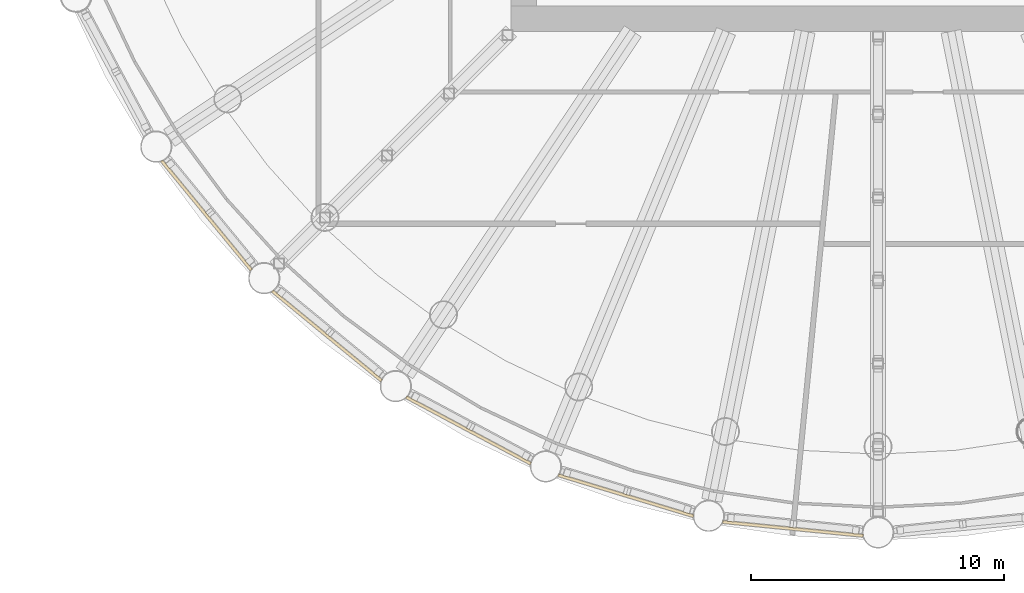
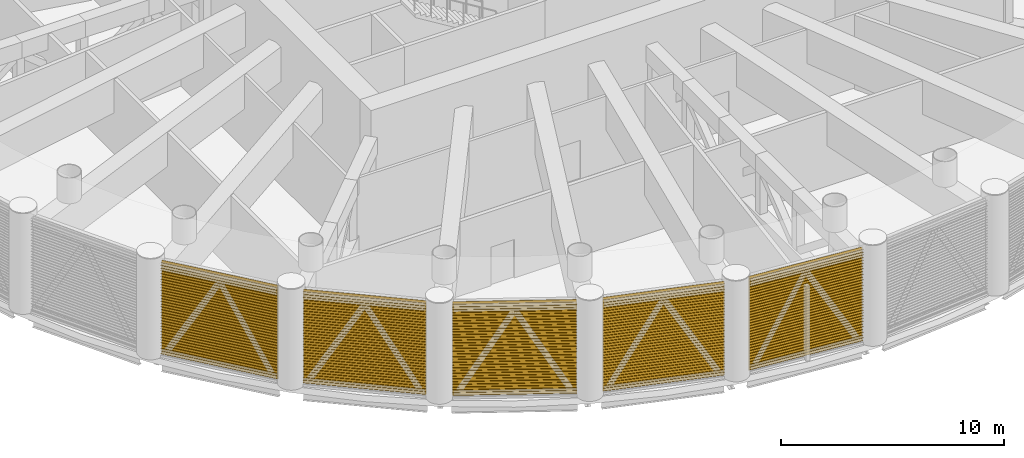
# One storey, part 22 of 29: 5 shading devices, 5 elements without a shape of their own.
"""IFC4 building model written with IfcOpenShell, lengths in metres."""

from ifc_helpers import new_model, si_unit, direction, frame, origin, place, context, subcontext, project, spatial, polyline, outline, extrude, material, material_profile, profile_set, type_object, element, aggregate, save


model = new_model("IFC4")

# Units and contexts
model_context = context("Model", 3, precision=1e-05, world=origin(), true_north=direction((0.0, 1.0)))
body_context = subcontext(model_context, "Body", "Model", "MODEL_VIEW")
ifc_project = project(units=[si_unit("LENGTHUNIT", "METRE"), si_unit("AREAUNIT", "SQUARE_METRE"), si_unit("VOLUMEUNIT", "CUBIC_METRE"), si_unit("PLANEANGLEUNIT", "RADIAN"), si_unit("MASSUNIT", "GRAM", prefix="KILO")], contexts=[model_context])

# Site, building, storey
site_placement = place(None, origin())
site = spatial("IfcSite", under=ifc_project, at=site_placement, CompositionType="ELEMENT")
building_placement = place(site_placement, origin())
building = spatial("IfcBuilding", under=site, at=building_placement, Name="Corvane Civic Tower", CompositionType="ELEMENT")
storey_placement = place(building_placement, frame((0.0, 0.0, 138.5)))
storey = spatial("IfcBuildingStorey", under=building, at=storey_placement, Name="L32", CompositionType="ELEMENT", Elevation=138.5)

# Curtain wall, shading device
ifc_material_1 = material(Name="Anodised aluminium bronze", Category="aluminium")
curtain_wall_type = type_object("IfcCurtainWallType", Name="TOWER CW-LV LOUVRE SCREEN WALL", PredefinedType="NOTDEFINED", material=ifc_material_1)
curtain_wall_1_placement = place(storey_placement, origin())
curtain_wall_1 = element("IfcCurtainWall", 1, at=curtain_wall_1_placement, inside=storey, type_object=curtain_wall_type, Name="Louvre screen wall CW-LV L32 bay 17", PredefinedType="NOTDEFINED")
ifc_material_2 = material(Name="Anodised aluminium bronze", Category="aluminium")
ifc_material_profile = material_profile(ifc_material_2, outline(polyline([(-0.06005859375, -2.56494140625), (-0.0400390625, -2.56494140625), (0.06005859375, -2.492919921875), (0.06005859375, -2.472900390625), (-0.0400390625, -2.544921875), (-0.0400390625, -2.4140625), (0.06005859375, -2.342041015625), (0.06005859375, -2.322021484375), (-0.0400390625, -2.39404296875), (-0.0400390625, -2.26318359375), (0.06005859375, -2.191162109375), (0.06005859375, -2.171142578125), (-0.0400390625, -2.2431640625), (-0.0400390625, -2.1123046875), (0.06005859375, -2.040283203125), (0.06005859375, -2.0205078125), (-0.0400390625, -2.09228515625), (-0.0400390625, -1.96142578125), (0.06005859375, -1.889404296875), (0.06005859375, -1.869384765625), (-0.0400390625, -1.94140625), (-0.0400390625, -1.810546875), (0.06005859375, -1.738525390625), (0.06005859375, -1.718505859375), (-0.0400390625, -1.79052734375), (-0.0400390625, -1.65966796875), (0.06005859375, -1.587646484375), (0.06005859375, -1.567626953125), (-0.0400390625, -1.6396484375), (-0.0400390625, -1.5087890625), (0.06005859375, -1.436767578125), (0.06005859375, -1.416748046875), (-0.0400390625, -1.48876953125), (-0.0400390625, -1.35791015625), (0.06005859375, -1.285888671875), (0.06005859375, -1.265869140625), (-0.0400390625, -1.337890625), (-0.0400390625, -1.20703125), (0.06005859375, -1.135009765625), (0.06005859375, -1.114990234375), (-0.0400390625, -1.18701171875), (-0.0400390625, -1.05615234375), (0.06005859375, -0.984130859375), (0.06005859375, -0.964111328125), (-0.0400390625, -1.0361328125), (-0.0400390625, -0.9052734375), (0.06005859375, -0.833251953125), (0.06005859375, -0.813232421875), (-0.0400390625, -0.88525390625), (-0.0400390625, -0.75439453125), (0.06005859375, -0.682373046875), (0.06005859375, -0.662353515625), (-0.0400390625, -0.734375), (-0.0400390625, -0.603515625), (0.06005859375, -0.531494140625), (0.06005859375, -0.511474609375), (-0.0400390625, -0.58349609375), (-0.0400390625, -0.45263671875), (0.06005859375, -0.380615234375), (0.06005859375, -0.360595703125), (-0.0400390625, -0.4326171875), (-0.0400390625, -0.3017578125), (0.06005859375, -0.229736328125), (0.06005859375, -0.209716796875), (-0.0400390625, -0.28173828125), (-0.0400390625, -0.15087890625), (0.06005859375, -0.078857421875), (0.06005859375, -0.058837890625), (-0.0400390625, -0.130859375), (-0.0400390625, 0.0), (0.06005859375, 0.072021484375), (0.06005859375, 0.092041015625), (-0.0400390625, 0.02001953125), (-0.0400390625, 0.15087890625), (0.06005859375, 0.222900390625), (0.06005859375, 0.242919921875), (-0.0400390625, 0.1708984375), (-0.0400390625, 0.3017578125), (0.06005859375, 0.373779296875), (0.06005859375, 0.393798828125), (-0.0400390625, 0.32177734375), (-0.0400390625, 0.45263671875), (0.06005859375, 0.524658203125), (0.06005859375, 0.544677734375), (-0.0400390625, 0.47265625), (-0.0400390625, 0.603515625), (0.06005859375, 0.675537109375), (0.06005859375, 0.695556640625), (-0.0400390625, 0.62353515625), (-0.0400390625, 0.75439453125), (0.06005859375, 0.826416015625), (0.06005859375, 0.846435546875), (-0.0400390625, 0.7744140625), (-0.0400390625, 0.9052734375), (0.06005859375, 0.977294921875), (0.06005859375, 0.997314453125), (-0.0400390625, 0.92529296875), (-0.0400390625, 1.05615234375), (0.06005859375, 1.128173828125), (0.06005859375, 1.148193359375), (-0.0400390625, 1.076171875), (-0.0400390625, 1.20703125), (0.06005859375, 1.279052734375), (0.06005859375, 1.299072265625), (-0.0400390625, 1.22705078125), (-0.0400390625, 1.35791015625), (0.06005859375, 1.429931640625), (0.06005859375, 1.449951171875), (-0.0400390625, 1.3779296875), (-0.0400390625, 1.5087890625), (0.06005859375, 1.580810546875), (0.06005859375, 1.600830078125), (-0.0400390625, 1.52880859375), (-0.0400390625, 1.65966796875), (0.06005859375, 1.731689453125), (0.06005859375, 1.751708984375), (-0.0400390625, 1.6796875), (-0.0400390625, 1.810546875), (0.06005859375, 1.882568359375), (0.06005859375, 1.902587890625), (-0.0400390625, 1.83056640625), (-0.0400390625, 1.96142578125), (0.06005859375, 2.033447265625), (0.06005859375, 2.053466796875), (-0.0400390625, 1.9814453125), (-0.0400390625, 2.1123046875), (0.06005859375, 2.184326171875), (0.06005859375, 2.204345703125), (-0.0400390625, 2.13232421875), (-0.0400390625, 2.26318359375), (0.06005859375, 2.335205078125), (0.06005859375, 2.355224609375), (-0.0400390625, 2.283203125), (-0.0400390625, 2.4140625), (0.06005859375, 2.486083984375), (0.06005859375, 2.506103515625), (-0.0400390625, 2.43408203125), (-0.0400390625, 2.56494140625), (-0.06005859375, 2.56494140625), (-0.06005859375, -2.56494140625)])), Name="TOWER LOUVRE BANK 5130 BRONZE")
ifc_profile_set = profile_set([ifc_material_profile], Name="Anodised aluminium bronze")
shading_device_type = type_object("IfcShadingDeviceType", Name="TOWER LOUVRE BANK 5130 BRONZE", PredefinedType="USERDEFINED", material=ifc_profile_set)
shading_device_1_placement = place(storey_placement, frame((-0.58349609375, -34.422607421875, 2.68505859375), z_axis=(-0.995179807033, 0.098067077419, 0.0), x_axis=(-0.098067077419, -0.995179807033, 0.0)))
shading_device_1 = element("IfcShadingDevice", 2, at=shading_device_1_placement, type_object=shading_device_type, Name="Louvre bank L32 17.1", ObjectType="LOUVRE", PredefinedType="USERDEFINED", context=body_context, shape_type="SweptSolid", body=[
    extrude(outline(polyline([(-0.06005859375, -2.56494140625), (-0.0400390625, -2.56494140625), (0.06005859375, -2.492919921875), (0.06005859375, -2.472900390625), (-0.0400390625, -2.544921875), (-0.0400390625, -2.4140625), (0.06005859375, -2.342041015625), (0.06005859375, -2.322021484375), (-0.0400390625, -2.39404296875), (-0.0400390625, -2.26318359375), (0.06005859375, -2.191162109375), (0.06005859375, -2.171142578125), (-0.0400390625, -2.2431640625), (-0.0400390625, -2.1123046875), (0.06005859375, -2.040283203125), (0.06005859375, -2.0205078125), (-0.0400390625, -2.09228515625), (-0.0400390625, -1.96142578125), (0.06005859375, -1.889404296875), (0.06005859375, -1.869384765625), (-0.0400390625, -1.94140625), (-0.0400390625, -1.810546875), (0.06005859375, -1.738525390625), (0.06005859375, -1.718505859375), (-0.0400390625, -1.79052734375), (-0.0400390625, -1.65966796875), (0.06005859375, -1.587646484375), (0.06005859375, -1.567626953125), (-0.0400390625, -1.6396484375), (-0.0400390625, -1.5087890625), (0.06005859375, -1.436767578125), (0.06005859375, -1.416748046875), (-0.0400390625, -1.48876953125), (-0.0400390625, -1.35791015625), (0.06005859375, -1.285888671875), (0.06005859375, -1.265869140625), (-0.0400390625, -1.337890625), (-0.0400390625, -1.20703125), (0.06005859375, -1.135009765625), (0.06005859375, -1.114990234375), (-0.0400390625, -1.18701171875), (-0.0400390625, -1.05615234375), (0.06005859375, -0.984130859375), (0.06005859375, -0.964111328125), (-0.0400390625, -1.0361328125), (-0.0400390625, -0.9052734375), (0.06005859375, -0.833251953125), (0.06005859375, -0.813232421875), (-0.0400390625, -0.88525390625), (-0.0400390625, -0.75439453125), (0.06005859375, -0.682373046875), (0.06005859375, -0.662353515625), (-0.0400390625, -0.734375), (-0.0400390625, -0.603515625), (0.06005859375, -0.531494140625), (0.06005859375, -0.511474609375), (-0.0400390625, -0.58349609375), (-0.0400390625, -0.45263671875), (0.06005859375, -0.380615234375), (0.06005859375, -0.360595703125), (-0.0400390625, -0.4326171875), (-0.0400390625, -0.3017578125), (0.06005859375, -0.229736328125), (0.06005859375, -0.209716796875), (-0.0400390625, -0.28173828125), (-0.0400390625, -0.15087890625), (0.06005859375, -0.078857421875), (0.06005859375, -0.058837890625), (-0.0400390625, -0.130859375), (-0.0400390625, 0.0), (0.06005859375, 0.072021484375), (0.06005859375, 0.092041015625), (-0.0400390625, 0.02001953125), (-0.0400390625, 0.15087890625), (0.06005859375, 0.222900390625), (0.06005859375, 0.242919921875), (-0.0400390625, 0.1708984375), (-0.0400390625, 0.3017578125), (0.06005859375, 0.373779296875), (0.06005859375, 0.393798828125), (-0.0400390625, 0.32177734375), (-0.0400390625, 0.45263671875), (0.06005859375, 0.524658203125), (0.06005859375, 0.544677734375), (-0.0400390625, 0.47265625), (-0.0400390625, 0.603515625), (0.06005859375, 0.675537109375), (0.06005859375, 0.695556640625), (-0.0400390625, 0.62353515625), (-0.0400390625, 0.75439453125), (0.06005859375, 0.826416015625), (0.06005859375, 0.846435546875), (-0.0400390625, 0.7744140625), (-0.0400390625, 0.9052734375), (0.06005859375, 0.977294921875), (0.06005859375, 0.997314453125), (-0.0400390625, 0.92529296875), (-0.0400390625, 1.05615234375), (0.06005859375, 1.128173828125), (0.06005859375, 1.148193359375), (-0.0400390625, 1.076171875), (-0.0400390625, 1.20703125), (0.06005859375, 1.279052734375), (0.06005859375, 1.299072265625), (-0.0400390625, 1.22705078125), (-0.0400390625, 1.35791015625), (0.06005859375, 1.429931640625), (0.06005859375, 1.449951171875), (-0.0400390625, 1.3779296875), (-0.0400390625, 1.5087890625), (0.06005859375, 1.580810546875), (0.06005859375, 1.600830078125), (-0.0400390625, 1.52880859375), (-0.0400390625, 1.65966796875), (0.06005859375, 1.731689453125), (0.06005859375, 1.751708984375), (-0.0400390625, 1.6796875), (-0.0400390625, 1.810546875), (0.06005859375, 1.882568359375), (0.06005859375, 1.902587890625), (-0.0400390625, 1.83056640625), (-0.0400390625, 1.96142578125), (0.06005859375, 2.033447265625), (0.06005859375, 2.053466796875), (-0.0400390625, 1.9814453125), (-0.0400390625, 2.1123046875), (0.06005859375, 2.184326171875), (0.06005859375, 2.204345703125), (-0.0400390625, 2.13232421875), (-0.0400390625, 2.26318359375), (0.06005859375, 2.335205078125), (0.06005859375, 2.355224609375), (-0.0400390625, 2.283203125), (-0.0400390625, 2.4140625), (0.06005859375, 2.486083984375), (0.06005859375, 2.506103515625), (-0.0400390625, 2.43408203125), (-0.0400390625, 2.56494140625), (-0.06005859375, 2.56494140625), (-0.06005859375, -2.56494140625)])), origin(), (0.0, 0.0, 1.0), 5.58642578125),
])
aggregate(curtain_wall_1, [shading_device_1])

curtain_wall_2_placement = place(storey_placement, origin())
curtain_wall_2 = element("IfcCurtainWall", 3, at=curtain_wall_2_placement, inside=storey, type_object=curtain_wall_type, Name="Louvre screen wall CW-LV L32 bay 18", PredefinedType="NOTDEFINED")
shading_device_2_placement = place(storey_placement, frame((-7.287841796875, -33.647216796875, 2.68505859375), z_axis=(-0.956944977029, 0.290269376509, 0.0), x_axis=(-0.290269376509, -0.956944977029, 0.0)))
shading_device_2 = element("IfcShadingDevice", 4, at=shading_device_2_placement, type_object=shading_device_type, Name="Louvre bank L32 18.1", ObjectType="LOUVRE", PredefinedType="USERDEFINED", context=body_context, shape_type="SweptSolid", body=[
    extrude(outline(polyline([(-0.06005859375, -2.56494140625), (-0.0400390625, -2.56494140625), (0.06005859375, -2.492919921875), (0.06005859375, -2.472900390625), (-0.0400390625, -2.544921875), (-0.0400390625, -2.4140625), (0.06005859375, -2.342041015625), (0.06005859375, -2.322021484375), (-0.0400390625, -2.39404296875), (-0.0400390625, -2.26318359375), (0.06005859375, -2.191162109375), (0.06005859375, -2.171142578125), (-0.0400390625, -2.2431640625), (-0.0400390625, -2.1123046875), (0.06005859375, -2.040283203125), (0.06005859375, -2.0205078125), (-0.0400390625, -2.09228515625), (-0.0400390625, -1.96142578125), (0.06005859375, -1.889404296875), (0.06005859375, -1.869384765625), (-0.0400390625, -1.94140625), (-0.0400390625, -1.810546875), (0.06005859375, -1.738525390625), (0.06005859375, -1.718505859375), (-0.0400390625, -1.79052734375), (-0.0400390625, -1.65966796875), (0.06005859375, -1.587646484375), (0.06005859375, -1.567626953125), (-0.0400390625, -1.6396484375), (-0.0400390625, -1.5087890625), (0.06005859375, -1.436767578125), (0.06005859375, -1.416748046875), (-0.0400390625, -1.48876953125), (-0.0400390625, -1.35791015625), (0.06005859375, -1.285888671875), (0.06005859375, -1.265869140625), (-0.0400390625, -1.337890625), (-0.0400390625, -1.20703125), (0.06005859375, -1.135009765625), (0.06005859375, -1.114990234375), (-0.0400390625, -1.18701171875), (-0.0400390625, -1.05615234375), (0.06005859375, -0.984130859375), (0.06005859375, -0.964111328125), (-0.0400390625, -1.0361328125), (-0.0400390625, -0.9052734375), (0.06005859375, -0.833251953125), (0.06005859375, -0.813232421875), (-0.0400390625, -0.88525390625), (-0.0400390625, -0.75439453125), (0.06005859375, -0.682373046875), (0.06005859375, -0.662353515625), (-0.0400390625, -0.734375), (-0.0400390625, -0.603515625), (0.06005859375, -0.531494140625), (0.06005859375, -0.511474609375), (-0.0400390625, -0.58349609375), (-0.0400390625, -0.45263671875), (0.06005859375, -0.380615234375), (0.06005859375, -0.360595703125), (-0.0400390625, -0.4326171875), (-0.0400390625, -0.3017578125), (0.06005859375, -0.229736328125), (0.06005859375, -0.209716796875), (-0.0400390625, -0.28173828125), (-0.0400390625, -0.15087890625), (0.06005859375, -0.078857421875), (0.06005859375, -0.058837890625), (-0.0400390625, -0.130859375), (-0.0400390625, 0.0), (0.06005859375, 0.072021484375), (0.06005859375, 0.092041015625), (-0.0400390625, 0.02001953125), (-0.0400390625, 0.15087890625), (0.06005859375, 0.222900390625), (0.06005859375, 0.242919921875), (-0.0400390625, 0.1708984375), (-0.0400390625, 0.3017578125), (0.06005859375, 0.373779296875), (0.06005859375, 0.393798828125), (-0.0400390625, 0.32177734375), (-0.0400390625, 0.45263671875), (0.06005859375, 0.524658203125), (0.06005859375, 0.544677734375), (-0.0400390625, 0.47265625), (-0.0400390625, 0.603515625), (0.06005859375, 0.675537109375), (0.06005859375, 0.695556640625), (-0.0400390625, 0.62353515625), (-0.0400390625, 0.75439453125), (0.06005859375, 0.826416015625), (0.06005859375, 0.846435546875), (-0.0400390625, 0.7744140625), (-0.0400390625, 0.9052734375), (0.06005859375, 0.977294921875), (0.06005859375, 0.997314453125), (-0.0400390625, 0.92529296875), (-0.0400390625, 1.05615234375), (0.06005859375, 1.128173828125), (0.06005859375, 1.148193359375), (-0.0400390625, 1.076171875), (-0.0400390625, 1.20703125), (0.06005859375, 1.279052734375), (0.06005859375, 1.299072265625), (-0.0400390625, 1.22705078125), (-0.0400390625, 1.35791015625), (0.06005859375, 1.429931640625), (0.06005859375, 1.449951171875), (-0.0400390625, 1.3779296875), (-0.0400390625, 1.5087890625), (0.06005859375, 1.580810546875), (0.06005859375, 1.600830078125), (-0.0400390625, 1.52880859375), (-0.0400390625, 1.65966796875), (0.06005859375, 1.731689453125), (0.06005859375, 1.751708984375), (-0.0400390625, 1.6796875), (-0.0400390625, 1.810546875), (0.06005859375, 1.882568359375), (0.06005859375, 1.902587890625), (-0.0400390625, 1.83056640625), (-0.0400390625, 1.96142578125), (0.06005859375, 2.033447265625), (0.06005859375, 2.053466796875), (-0.0400390625, 1.9814453125), (-0.0400390625, 2.1123046875), (0.06005859375, 2.184326171875), (0.06005859375, 2.204345703125), (-0.0400390625, 2.13232421875), (-0.0400390625, 2.26318359375), (0.06005859375, 2.335205078125), (0.06005859375, 2.355224609375), (-0.0400390625, 2.283203125), (-0.0400390625, 2.4140625), (0.06005859375, 2.486083984375), (0.06005859375, 2.506103515625), (-0.0400390625, 2.43408203125), (-0.0400390625, 2.56494140625), (-0.06005859375, 2.56494140625), (-0.06005859375, -2.56494140625)])), origin(), (0.0, 0.0, 1.0), 5.58642578125),
])
aggregate(curtain_wall_2, [shading_device_2])

curtain_wall_3_placement = place(storey_placement, origin())
curtain_wall_3 = element("IfcCurtainWall", 5, at=curtain_wall_3_placement, inside=storey, type_object=curtain_wall_type, Name="Louvre screen wall CW-LV L32 bay 19", PredefinedType="NOTDEFINED")
shading_device_3_placement = place(storey_placement, frame((-13.712158203125, -31.5791015625, 2.68505859375), z_axis=(-0.881920705407, 0.47139778253, 0.0), x_axis=(-0.47139778253, -0.881920705407, 0.0)))
shading_device_3 = element("IfcShadingDevice", 6, at=shading_device_3_placement, type_object=shading_device_type, Name="Louvre bank L32 19.1", ObjectType="LOUVRE", PredefinedType="USERDEFINED", context=body_context, shape_type="SweptSolid", body=[
    extrude(outline(polyline([(-0.06005859375, -2.56494140625), (-0.0400390625, -2.56494140625), (0.06005859375, -2.492919921875), (0.06005859375, -2.472900390625), (-0.0400390625, -2.544921875), (-0.0400390625, -2.4140625), (0.06005859375, -2.342041015625), (0.06005859375, -2.322021484375), (-0.0400390625, -2.39404296875), (-0.0400390625, -2.26318359375), (0.06005859375, -2.191162109375), (0.06005859375, -2.171142578125), (-0.0400390625, -2.2431640625), (-0.0400390625, -2.1123046875), (0.06005859375, -2.040283203125), (0.06005859375, -2.0205078125), (-0.0400390625, -2.09228515625), (-0.0400390625, -1.96142578125), (0.06005859375, -1.889404296875), (0.06005859375, -1.869384765625), (-0.0400390625, -1.94140625), (-0.0400390625, -1.810546875), (0.06005859375, -1.738525390625), (0.06005859375, -1.718505859375), (-0.0400390625, -1.79052734375), (-0.0400390625, -1.65966796875), (0.06005859375, -1.587646484375), (0.06005859375, -1.567626953125), (-0.0400390625, -1.6396484375), (-0.0400390625, -1.5087890625), (0.06005859375, -1.436767578125), (0.06005859375, -1.416748046875), (-0.0400390625, -1.48876953125), (-0.0400390625, -1.35791015625), (0.06005859375, -1.285888671875), (0.06005859375, -1.265869140625), (-0.0400390625, -1.337890625), (-0.0400390625, -1.20703125), (0.06005859375, -1.135009765625), (0.06005859375, -1.114990234375), (-0.0400390625, -1.18701171875), (-0.0400390625, -1.05615234375), (0.06005859375, -0.984130859375), (0.06005859375, -0.964111328125), (-0.0400390625, -1.0361328125), (-0.0400390625, -0.9052734375), (0.06005859375, -0.833251953125), (0.06005859375, -0.813232421875), (-0.0400390625, -0.88525390625), (-0.0400390625, -0.75439453125), (0.06005859375, -0.682373046875), (0.06005859375, -0.662353515625), (-0.0400390625, -0.734375), (-0.0400390625, -0.603515625), (0.06005859375, -0.531494140625), (0.06005859375, -0.511474609375), (-0.0400390625, -0.58349609375), (-0.0400390625, -0.45263671875), (0.06005859375, -0.380615234375), (0.06005859375, -0.360595703125), (-0.0400390625, -0.4326171875), (-0.0400390625, -0.3017578125), (0.06005859375, -0.229736328125), (0.06005859375, -0.209716796875), (-0.0400390625, -0.28173828125), (-0.0400390625, -0.15087890625), (0.06005859375, -0.078857421875), (0.06005859375, -0.058837890625), (-0.0400390625, -0.130859375), (-0.0400390625, 0.0), (0.06005859375, 0.072021484375), (0.06005859375, 0.092041015625), (-0.0400390625, 0.02001953125), (-0.0400390625, 0.15087890625), (0.06005859375, 0.222900390625), (0.06005859375, 0.242919921875), (-0.0400390625, 0.1708984375), (-0.0400390625, 0.3017578125), (0.06005859375, 0.373779296875), (0.06005859375, 0.393798828125), (-0.0400390625, 0.32177734375), (-0.0400390625, 0.45263671875), (0.06005859375, 0.524658203125), (0.06005859375, 0.544677734375), (-0.0400390625, 0.47265625), (-0.0400390625, 0.603515625), (0.06005859375, 0.675537109375), (0.06005859375, 0.695556640625), (-0.0400390625, 0.62353515625), (-0.0400390625, 0.75439453125), (0.06005859375, 0.826416015625), (0.06005859375, 0.846435546875), (-0.0400390625, 0.7744140625), (-0.0400390625, 0.9052734375), (0.06005859375, 0.977294921875), (0.06005859375, 0.997314453125), (-0.0400390625, 0.92529296875), (-0.0400390625, 1.05615234375), (0.06005859375, 1.128173828125), (0.06005859375, 1.148193359375), (-0.0400390625, 1.076171875), (-0.0400390625, 1.20703125), (0.06005859375, 1.279052734375), (0.06005859375, 1.299072265625), (-0.0400390625, 1.22705078125), (-0.0400390625, 1.35791015625), (0.06005859375, 1.429931640625), (0.06005859375, 1.449951171875), (-0.0400390625, 1.3779296875), (-0.0400390625, 1.5087890625), (0.06005859375, 1.580810546875), (0.06005859375, 1.600830078125), (-0.0400390625, 1.52880859375), (-0.0400390625, 1.65966796875), (0.06005859375, 1.731689453125), (0.06005859375, 1.751708984375), (-0.0400390625, 1.6796875), (-0.0400390625, 1.810546875), (0.06005859375, 1.882568359375), (0.06005859375, 1.902587890625), (-0.0400390625, 1.83056640625), (-0.0400390625, 1.96142578125), (0.06005859375, 2.033447265625), (0.06005859375, 2.053466796875), (-0.0400390625, 1.9814453125), (-0.0400390625, 2.1123046875), (0.06005859375, 2.184326171875), (0.06005859375, 2.204345703125), (-0.0400390625, 2.13232421875), (-0.0400390625, 2.26318359375), (0.06005859375, 2.335205078125), (0.06005859375, 2.355224609375), (-0.0400390625, 2.283203125), (-0.0400390625, 2.4140625), (0.06005859375, 2.486083984375), (0.06005859375, 2.506103515625), (-0.0400390625, 2.43408203125), (-0.0400390625, 2.56494140625), (-0.06005859375, 2.56494140625), (-0.06005859375, -2.56494140625)])), origin(), (0.0, 0.0, 1.0), 5.586669921875),
])
aggregate(curtain_wall_3, [shading_device_3])

curtain_wall_4_placement = place(storey_placement, origin())
curtain_wall_4 = element("IfcCurtainWall", 7, at=curtain_wall_4_placement, inside=storey, type_object=curtain_wall_type, Name="Louvre screen wall CW-LV L32 bay 20", PredefinedType="NOTDEFINED")
shading_device_4_placement = place(storey_placement, frame((-19.609619140625, -28.297119140625, 2.68505859375), z_axis=(-0.772996431642, 0.634410369295, 0.0), x_axis=(-0.634410369295, -0.772996431642, 0.0)))
shading_device_4 = element("IfcShadingDevice", 8, at=shading_device_4_placement, type_object=shading_device_type, Name="Louvre bank L32 20.1", ObjectType="LOUVRE", PredefinedType="USERDEFINED", context=body_context, shape_type="SweptSolid", body=[
    extrude(outline(polyline([(-0.06005859375, -2.56494140625), (-0.0400390625, -2.56494140625), (0.06005859375, -2.492919921875), (0.06005859375, -2.472900390625), (-0.0400390625, -2.544921875), (-0.0400390625, -2.4140625), (0.06005859375, -2.342041015625), (0.06005859375, -2.322021484375), (-0.0400390625, -2.39404296875), (-0.0400390625, -2.26318359375), (0.06005859375, -2.191162109375), (0.06005859375, -2.171142578125), (-0.0400390625, -2.2431640625), (-0.0400390625, -2.1123046875), (0.06005859375, -2.040283203125), (0.06005859375, -2.0205078125), (-0.0400390625, -2.09228515625), (-0.0400390625, -1.96142578125), (0.06005859375, -1.889404296875), (0.06005859375, -1.869384765625), (-0.0400390625, -1.94140625), (-0.0400390625, -1.810546875), (0.06005859375, -1.738525390625), (0.06005859375, -1.718505859375), (-0.0400390625, -1.79052734375), (-0.0400390625, -1.65966796875), (0.06005859375, -1.587646484375), (0.06005859375, -1.567626953125), (-0.0400390625, -1.6396484375), (-0.0400390625, -1.5087890625), (0.06005859375, -1.436767578125), (0.06005859375, -1.416748046875), (-0.0400390625, -1.48876953125), (-0.0400390625, -1.35791015625), (0.06005859375, -1.285888671875), (0.06005859375, -1.265869140625), (-0.0400390625, -1.337890625), (-0.0400390625, -1.20703125), (0.06005859375, -1.135009765625), (0.06005859375, -1.114990234375), (-0.0400390625, -1.18701171875), (-0.0400390625, -1.05615234375), (0.06005859375, -0.984130859375), (0.06005859375, -0.964111328125), (-0.0400390625, -1.0361328125), (-0.0400390625, -0.9052734375), (0.06005859375, -0.833251953125), (0.06005859375, -0.813232421875), (-0.0400390625, -0.88525390625), (-0.0400390625, -0.75439453125), (0.06005859375, -0.682373046875), (0.06005859375, -0.662353515625), (-0.0400390625, -0.734375), (-0.0400390625, -0.603515625), (0.06005859375, -0.531494140625), (0.06005859375, -0.511474609375), (-0.0400390625, -0.58349609375), (-0.0400390625, -0.45263671875), (0.06005859375, -0.380615234375), (0.06005859375, -0.360595703125), (-0.0400390625, -0.4326171875), (-0.0400390625, -0.3017578125), (0.06005859375, -0.229736328125), (0.06005859375, -0.209716796875), (-0.0400390625, -0.28173828125), (-0.0400390625, -0.15087890625), (0.06005859375, -0.078857421875), (0.06005859375, -0.058837890625), (-0.0400390625, -0.130859375), (-0.0400390625, 0.0), (0.06005859375, 0.072021484375), (0.06005859375, 0.092041015625), (-0.0400390625, 0.02001953125), (-0.0400390625, 0.15087890625), (0.06005859375, 0.222900390625), (0.06005859375, 0.242919921875), (-0.0400390625, 0.1708984375), (-0.0400390625, 0.3017578125), (0.06005859375, 0.373779296875), (0.06005859375, 0.393798828125), (-0.0400390625, 0.32177734375), (-0.0400390625, 0.45263671875), (0.06005859375, 0.524658203125), (0.06005859375, 0.544677734375), (-0.0400390625, 0.47265625), (-0.0400390625, 0.603515625), (0.06005859375, 0.675537109375), (0.06005859375, 0.695556640625), (-0.0400390625, 0.62353515625), (-0.0400390625, 0.75439453125), (0.06005859375, 0.826416015625), (0.06005859375, 0.846435546875), (-0.0400390625, 0.7744140625), (-0.0400390625, 0.9052734375), (0.06005859375, 0.977294921875), (0.06005859375, 0.997314453125), (-0.0400390625, 0.92529296875), (-0.0400390625, 1.05615234375), (0.06005859375, 1.128173828125), (0.06005859375, 1.148193359375), (-0.0400390625, 1.076171875), (-0.0400390625, 1.20703125), (0.06005859375, 1.279052734375), (0.06005859375, 1.299072265625), (-0.0400390625, 1.22705078125), (-0.0400390625, 1.35791015625), (0.06005859375, 1.429931640625), (0.06005859375, 1.449951171875), (-0.0400390625, 1.3779296875), (-0.0400390625, 1.5087890625), (0.06005859375, 1.580810546875), (0.06005859375, 1.600830078125), (-0.0400390625, 1.52880859375), (-0.0400390625, 1.65966796875), (0.06005859375, 1.731689453125), (0.06005859375, 1.751708984375), (-0.0400390625, 1.6796875), (-0.0400390625, 1.810546875), (0.06005859375, 1.882568359375), (0.06005859375, 1.902587890625), (-0.0400390625, 1.83056640625), (-0.0400390625, 1.96142578125), (0.06005859375, 2.033447265625), (0.06005859375, 2.053466796875), (-0.0400390625, 1.9814453125), (-0.0400390625, 2.1123046875), (0.06005859375, 2.184326171875), (0.06005859375, 2.204345703125), (-0.0400390625, 2.13232421875), (-0.0400390625, 2.26318359375), (0.06005859375, 2.335205078125), (0.06005859375, 2.355224609375), (-0.0400390625, 2.283203125), (-0.0400390625, 2.4140625), (0.06005859375, 2.486083984375), (0.06005859375, 2.506103515625), (-0.0400390625, 2.43408203125), (-0.0400390625, 2.56494140625), (-0.06005859375, 2.56494140625), (-0.06005859375, -2.56494140625)])), origin(), (0.0, 0.0, 1.0), 5.586181640625),
])
aggregate(curtain_wall_4, [shading_device_4])

curtain_wall_5_placement = place(storey_placement, origin())
curtain_wall_5 = element("IfcCurtainWall", 9, at=curtain_wall_5_placement, inside=storey, type_object=curtain_wall_type, Name="Louvre screen wall CW-LV L32 bay 21", PredefinedType="NOTDEFINED")
shading_device_5_placement = place(storey_placement, frame((-24.753173828125, -23.927734375, 2.68505859375), z_axis=(-0.634410369295, 0.772996431642, 0.0), x_axis=(-0.772996431642, -0.634410369295, 0.0)))
shading_device_5 = element("IfcShadingDevice", 10, at=shading_device_5_placement, type_object=shading_device_type, Name="Louvre bank L32 21.1", ObjectType="LOUVRE", PredefinedType="USERDEFINED", context=body_context, shape_type="SweptSolid", body=[
    extrude(outline(polyline([(-0.06005859375, -2.56494140625), (-0.0400390625, -2.56494140625), (0.06005859375, -2.492919921875), (0.06005859375, -2.472900390625), (-0.0400390625, -2.544921875), (-0.0400390625, -2.4140625), (0.06005859375, -2.342041015625), (0.06005859375, -2.322021484375), (-0.0400390625, -2.39404296875), (-0.0400390625, -2.26318359375), (0.06005859375, -2.191162109375), (0.06005859375, -2.171142578125), (-0.0400390625, -2.2431640625), (-0.0400390625, -2.1123046875), (0.06005859375, -2.040283203125), (0.06005859375, -2.0205078125), (-0.0400390625, -2.09228515625), (-0.0400390625, -1.96142578125), (0.06005859375, -1.889404296875), (0.06005859375, -1.869384765625), (-0.0400390625, -1.94140625), (-0.0400390625, -1.810546875), (0.06005859375, -1.738525390625), (0.06005859375, -1.718505859375), (-0.0400390625, -1.79052734375), (-0.0400390625, -1.65966796875), (0.06005859375, -1.587646484375), (0.06005859375, -1.567626953125), (-0.0400390625, -1.6396484375), (-0.0400390625, -1.5087890625), (0.06005859375, -1.436767578125), (0.06005859375, -1.416748046875), (-0.0400390625, -1.48876953125), (-0.0400390625, -1.35791015625), (0.06005859375, -1.285888671875), (0.06005859375, -1.265869140625), (-0.0400390625, -1.337890625), (-0.0400390625, -1.20703125), (0.06005859375, -1.135009765625), (0.06005859375, -1.114990234375), (-0.0400390625, -1.18701171875), (-0.0400390625, -1.05615234375), (0.06005859375, -0.984130859375), (0.06005859375, -0.964111328125), (-0.0400390625, -1.0361328125), (-0.0400390625, -0.9052734375), (0.06005859375, -0.833251953125), (0.06005859375, -0.813232421875), (-0.0400390625, -0.88525390625), (-0.0400390625, -0.75439453125), (0.06005859375, -0.682373046875), (0.06005859375, -0.662353515625), (-0.0400390625, -0.734375), (-0.0400390625, -0.603515625), (0.06005859375, -0.531494140625), (0.06005859375, -0.511474609375), (-0.0400390625, -0.58349609375), (-0.0400390625, -0.45263671875), (0.06005859375, -0.380615234375), (0.06005859375, -0.360595703125), (-0.0400390625, -0.4326171875), (-0.0400390625, -0.3017578125), (0.06005859375, -0.229736328125), (0.06005859375, -0.209716796875), (-0.0400390625, -0.28173828125), (-0.0400390625, -0.15087890625), (0.06005859375, -0.078857421875), (0.06005859375, -0.058837890625), (-0.0400390625, -0.130859375), (-0.0400390625, 0.0), (0.06005859375, 0.072021484375), (0.06005859375, 0.092041015625), (-0.0400390625, 0.02001953125), (-0.0400390625, 0.15087890625), (0.06005859375, 0.222900390625), (0.06005859375, 0.242919921875), (-0.0400390625, 0.1708984375), (-0.0400390625, 0.3017578125), (0.06005859375, 0.373779296875), (0.06005859375, 0.393798828125), (-0.0400390625, 0.32177734375), (-0.0400390625, 0.45263671875), (0.06005859375, 0.524658203125), (0.06005859375, 0.544677734375), (-0.0400390625, 0.47265625), (-0.0400390625, 0.603515625), (0.06005859375, 0.675537109375), (0.06005859375, 0.695556640625), (-0.0400390625, 0.62353515625), (-0.0400390625, 0.75439453125), (0.06005859375, 0.826416015625), (0.06005859375, 0.846435546875), (-0.0400390625, 0.7744140625), (-0.0400390625, 0.9052734375), (0.06005859375, 0.977294921875), (0.06005859375, 0.997314453125), (-0.0400390625, 0.92529296875), (-0.0400390625, 1.05615234375), (0.06005859375, 1.128173828125), (0.06005859375, 1.148193359375), (-0.0400390625, 1.076171875), (-0.0400390625, 1.20703125), (0.06005859375, 1.279052734375), (0.06005859375, 1.299072265625), (-0.0400390625, 1.22705078125), (-0.0400390625, 1.35791015625), (0.06005859375, 1.429931640625), (0.06005859375, 1.449951171875), (-0.0400390625, 1.3779296875), (-0.0400390625, 1.5087890625), (0.06005859375, 1.580810546875), (0.06005859375, 1.600830078125), (-0.0400390625, 1.52880859375), (-0.0400390625, 1.65966796875), (0.06005859375, 1.731689453125), (0.06005859375, 1.751708984375), (-0.0400390625, 1.6796875), (-0.0400390625, 1.810546875), (0.06005859375, 1.882568359375), (0.06005859375, 1.902587890625), (-0.0400390625, 1.83056640625), (-0.0400390625, 1.96142578125), (0.06005859375, 2.033447265625), (0.06005859375, 2.053466796875), (-0.0400390625, 1.9814453125), (-0.0400390625, 2.1123046875), (0.06005859375, 2.184326171875), (0.06005859375, 2.204345703125), (-0.0400390625, 2.13232421875), (-0.0400390625, 2.26318359375), (0.06005859375, 2.335205078125), (0.06005859375, 2.355224609375), (-0.0400390625, 2.283203125), (-0.0400390625, 2.4140625), (0.06005859375, 2.486083984375), (0.06005859375, 2.506103515625), (-0.0400390625, 2.43408203125), (-0.0400390625, 2.56494140625), (-0.06005859375, 2.56494140625), (-0.06005859375, -2.56494140625)])), origin(), (0.0, 0.0, 1.0), 5.586181640625),
])
aggregate(curtain_wall_5, [shading_device_5])

save(model, "model.ifc")
